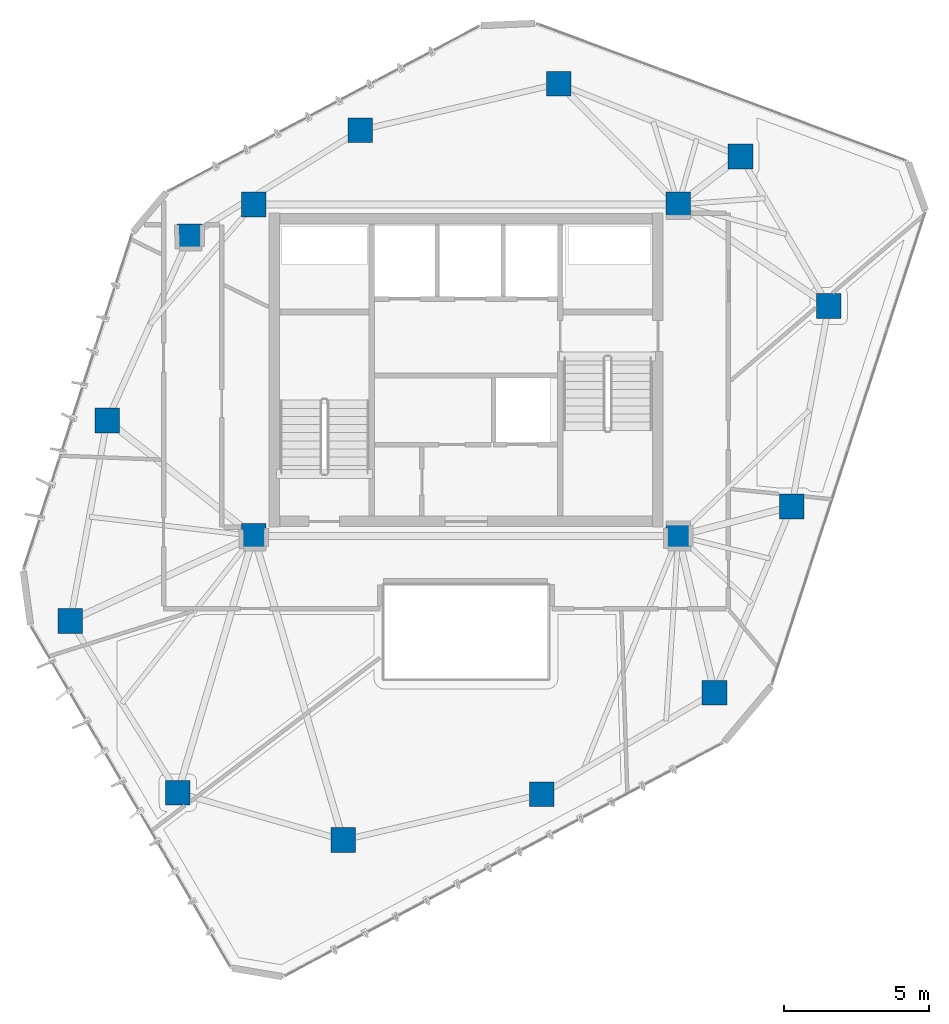
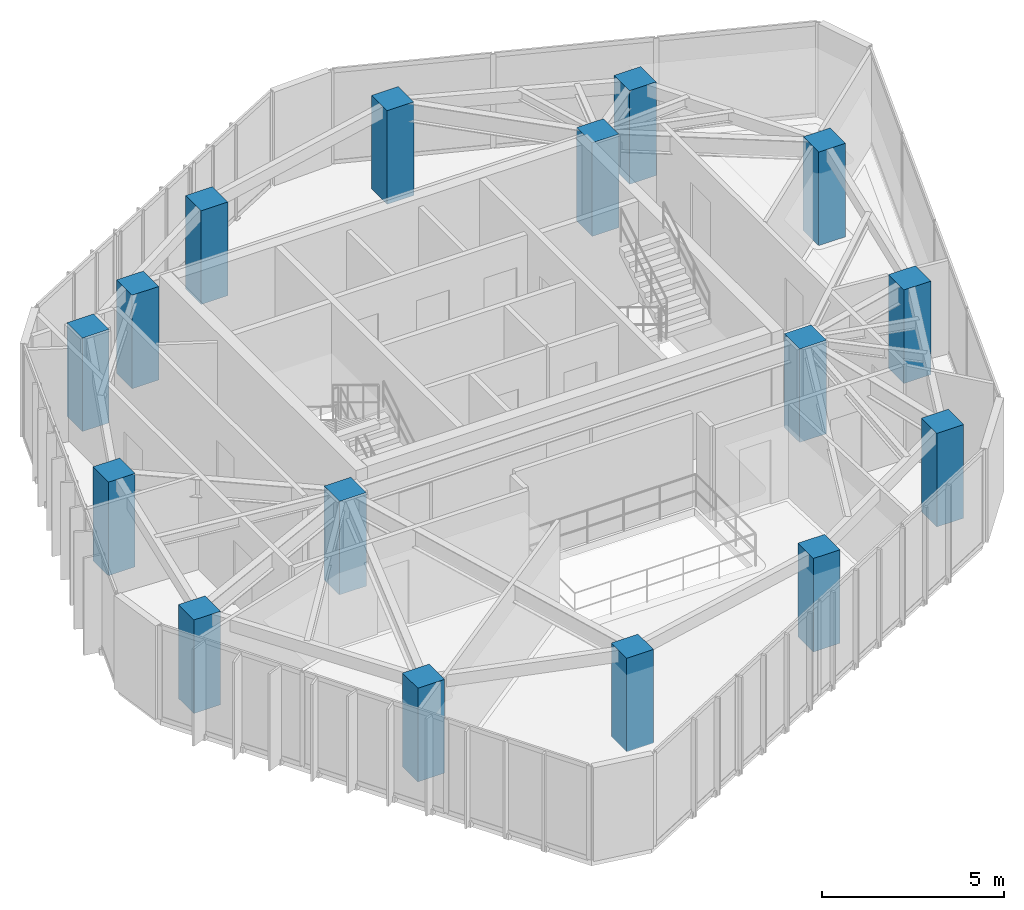
# One storey, part 1 of 20: 16 columns.
"""IFC4 building model written with IfcOpenShell, lengths in metres."""

import ifcopenshell
import ifcopenshell.guid

model = None  # the IFC model being written
_history = None  # IfcOwnerHistory: only IFC2X3 demands one
_inside = {}  # id of a spatial element -> (the spatial element, [elements in it])
_under = {}  # id of a project, library or spatial element -> (it, [spatial elements below it])
_declared = {}  # id of a project -> (the project, [libraries it declares])
_typed = {}  # id of a type object -> (the type object, [elements of that type])
_made_of = {}  # id of a material, layer set ... -> (it, [elements and type objects made of it])


def new_model(schema):
    """Start an empty IFC model of exactly this schema.

    Asked for "IFC4X3", IfcOpenShell would pick the latest addendum, in which some entities
    have other attributes; the version numbers below select the first issue.
    IFC2X3 requires an IfcOwnerHistory on every rooted entity: one is made here for all.
    """
    global model, _history
    if schema == "IFC4X3":
        model = ifcopenshell.file(schema_version=(4, 3, 0, 0))
    else:
        model = ifcopenshell.file(schema=schema)
    _inside.clear()
    _under.clear()
    _declared.clear()
    _typed.clear()
    _made_of.clear()
    _history = None
    if model.schema == "IFC2X3":
        org = make("IfcOrganization", Name="unknown")
        user = make(
            "IfcPersonAndOrganization",
            ThePerson=make("IfcPerson", FamilyName="unknown"),
            TheOrganization=org,
        )
        app = make(
            "IfcApplication",
            ApplicationDeveloper=org,
            Version="unknown",
            ApplicationFullName="unknown",
            ApplicationIdentifier="unknown",
        )
        _history = make(
            "IfcOwnerHistory",
            OwningUser=user,
            OwningApplication=app,
            ChangeAction="ADDED",
            CreationDate=0,
        )
    return model


def make(cls, **values):
    """One entity of the class cls with the attributes given. An attribute that is None is left unset."""
    return model.create_entity(
        cls, **{name: value for name, value in values.items() if value is not None}
    )


def rooted(cls, **values):
    """An entity with a GlobalId (a new one), such as an element, a storey or a relation."""
    return make(cls, GlobalId=ifcopenshell.guid.new(), OwnerHistory=_history, **values)


def si_unit(unit_type, name, prefix=None):
    """IfcSIUnit, for example si_unit("LENGTHUNIT", "METRE", prefix="MILLI")."""
    return make("IfcSIUnit", UnitType=unit_type, Prefix=prefix, Name=name)


def assignment(units):
    """IfcUnitAssignment: the units of a project."""
    return None if units is None else make("IfcUnitAssignment", Units=units)


def point(xyz):
    """IfcCartesianPoint."""
    return None if xyz is None else make("IfcCartesianPoint", Coordinates=xyz)


def direction(xyz):
    """IfcDirection."""
    return None if xyz is None else make("IfcDirection", DirectionRatios=xyz)


def frame(location, z_axis=None, x_axis=None):
    """IfcAxis2Placement3D, a coordinate frame: its origin and axes. An axis left out is left unset."""
    return make(
        "IfcAxis2Placement3D",
        Location=point(location),
        Axis=direction(z_axis),
        RefDirection=direction(x_axis),
    )


def frame_2d(location, x_axis=None):
    """IfcAxis2Placement2D, a coordinate frame in the plane: its origin and x axis."""
    return make(
        "IfcAxis2Placement2D", Location=point(location), RefDirection=direction(x_axis)
    )


def origin():
    """The frame at (0, 0, 0) with its axes left unset."""
    return frame((0.0, 0.0, 0.0))


def origin_2d():
    """The frame at (0, 0) in the plane with its x axis left unset."""
    return frame_2d((0.0, 0.0))


def place(relative_to, where):
    """IfcLocalPlacement: puts the frame where relative to a parent placement (None: the world)."""
    return make(
        "IfcLocalPlacement", PlacementRelTo=relative_to, RelativePlacement=where
    )


def context(
    kind, dimensions, precision=None, world=None, true_north=None, identifier=None
):
    """IfcGeometricRepresentationContext, for example the 3D "Model" context."""
    return make(
        "IfcGeometricRepresentationContext",
        ContextIdentifier=identifier,
        ContextType=kind,
        CoordinateSpaceDimension=dimensions,
        Precision=precision,
        WorldCoordinateSystem=world,
        TrueNorth=true_north,
    )


def subcontext(parent, identifier, kind, view, scale=None):
    """IfcGeometricRepresentationSubContext, for example "Body" below "Model"."""
    return make(
        "IfcGeometricRepresentationSubContext",
        ContextIdentifier=identifier,
        ContextType=kind,
        ParentContext=parent,
        TargetScale=scale,
        TargetView=view,
    )


def project(units=None, contexts=None):
    """IfcProject with its units and contexts."""
    return rooted(
        "IfcProject",
        Name="project",
        RepresentationContexts=contexts,
        UnitsInContext=assignment(units),
    )


def spatial(cls, under=None, at=None, **own):
    """A site, building, storey or space (cls), placed at a placement, below another one or the project."""
    s = rooted(cls, ObjectPlacement=at, **own)
    if under is not None:
        _under.setdefault(under.id(), (under, []))[1].append(s)
    return s


def profile(cls, at=None, kind="AREA", **sizes):
    """A parametric profile (cls). Its sizes go by their IFC names, for example OverallWidth=200.0."""
    return make(cls, ProfileType=kind, Position=at, **sizes)


def rectangle(**sizes):
    """IfcRectangleProfileDef."""
    return profile("IfcRectangleProfileDef", **sizes)


def extrude(swept, where, along, depth):
    """IfcExtrudedAreaSolid: the profile swept, set in the frame where, extruded along a direction by depth."""
    return make(
        "IfcExtrudedAreaSolid",
        SweptArea=swept,
        Position=where,
        ExtrudedDirection=direction(along),
        Depth=depth,
    )


def shape(context_of_items, identifier, shape_type, items):
    """IfcShapeRepresentation: the items that make up one representation, for example the "Body"."""
    return make(
        "IfcShapeRepresentation",
        ContextOfItems=context_of_items,
        RepresentationIdentifier=identifier,
        RepresentationType=shape_type,
        Items=items,
    )


def material(Name=None, Category=None):
    """IfcMaterial."""
    return make("IfcMaterial", Name=Name, Category=Category)


def material_profile(
    of_material, cross_section, Name=None, Category=None, Priority=None
):
    """IfcMaterialProfile: a cross section and its material."""
    return make(
        "IfcMaterialProfile",
        Name=Name,
        Material=of_material,
        Profile=cross_section,
        Priority=Priority,
        Category=Category,
    )


def profile_set(profiles, Name=None, composite=None):
    """IfcMaterialProfileSet."""
    return make(
        "IfcMaterialProfileSet",
        Name=Name,
        MaterialProfiles=profiles,
        CompositeProfile=composite,
    )


def made_of(thing, what):
    """Note that an element or type object is made of a material, layer set ...; save() writes the relation."""
    if what is not None:
        _made_of.setdefault(what.id(), (what, []))[1].append(thing)
    return thing


def type_object(cls, material=None, **own):
    """A type object (cls), such as IfcWallType, which elements share."""
    return made_of(rooted(cls, **own), material)


def element(
    cls,
    number,
    at=None,
    inside=None,
    cuts=None,
    type_object=None,
    material=None,
    context=None,
    identifier="Body",
    shape_type=None,
    held_by="IfcProductDefinitionShape",
    body=None,
    shapes=None,
    **own,
):
    """One element of the class cls, such as IfcWall. Its Tag is "e" and its number.

    at: its placement. inside: the storey or other place that contains it. cuts: it is an
    opening in that element (IfcRelVoidsElement). A single representation is given by context,
    identifier, shape_type and body (its items); several are given by shapes. held_by: the class
    of the entity that holds the representations. save() writes the other relations.
    """
    e = rooted(cls, Tag="e%d" % number, ObjectPlacement=at, **own)
    if body is not None:
        shapes = [shape(context, identifier, shape_type, body)]
    if shapes is not None:
        e.Representation = make(held_by, Representations=shapes)
    if inside is not None:
        _inside.setdefault(inside.id(), (inside, []))[1].append(e)
    if cuts is not None:
        rooted(
            "IfcRelVoidsElement", RelatingBuildingElement=cuts, RelatedOpeningElement=e
        )
    if type_object is not None:
        _typed.setdefault(type_object.id(), (type_object, []))[1].append(e)
    return made_of(e, material)


def aggregate(whole, parts):
    """IfcRelAggregates: a whole, such as a stair, and the parts it consists of."""
    return rooted("IfcRelAggregates", RelatingObject=whole, RelatedObjects=parts)


def save(model, path):
    """Write the relations noted so far, then the file.

    IfcRelAggregates (storeys below a building ...), IfcRelContainedInSpatialStructure (elements
    in a storey), IfcRelDefinesByType, IfcRelAssociatesMaterial and IfcRelDeclares: one each for
    every whole, place, type object, material and project.
    """
    for whole, parts in _under.values():
        aggregate(whole, parts)
    for where, things in _inside.values():
        rooted(
            "IfcRelContainedInSpatialStructure",
            RelatedElements=things,
            RelatingStructure=where,
        )
    for kind, things in _typed.values():
        rooted("IfcRelDefinesByType", RelatedObjects=things, RelatingType=kind)
    for what, things in _made_of.values():
        rooted("IfcRelAssociatesMaterial", RelatedObjects=things, RelatingMaterial=what)
    for by, libraries in _declared.values():
        rooted("IfcRelDeclares", RelatingContext=by, RelatedDefinitions=libraries)
    model.write(path)


model = new_model("IFC4")

# Units and contexts
model_context = context("Model", 3, precision=1e-05, world=origin(), true_north=direction((0.0, 1.0)))
body_context = subcontext(model_context, "Body", "Model", "MODEL_VIEW")
ifc_project = project(units=[si_unit("LENGTHUNIT", "METRE"), si_unit("AREAUNIT", "SQUARE_METRE"), si_unit("VOLUMEUNIT", "CUBIC_METRE"), si_unit("PLANEANGLEUNIT", "RADIAN"), si_unit("MASSUNIT", "GRAM", prefix="KILO")], contexts=[model_context])

# Site, building, storey
site_placement = place(None, origin())
site = spatial("IfcSite", under=ifc_project, at=site_placement, CompositionType="ELEMENT")
building_placement = place(site_placement, origin())
building = spatial("IfcBuilding", under=site, at=building_placement, Name="Talar Marvaseh", CompositionType="ELEMENT")
storey_placement = place(building_placement, frame((0.0, 0.0, 261.199951171875)))
storey = spatial("IfcBuildingStorey", under=building, at=storey_placement, Name="L69", CompositionType="ELEMENT", Elevation=261.199951171875)

# Columns
ifc_material = material(Name="Concrete C50/60", Category="concrete")
ifc_material_profile = material_profile(ifc_material, rectangle(XDim=0.85009765625, YDim=0.85009765625, at=origin_2d()), Name="RC850x850")
ifc_profile_set = profile_set([ifc_material_profile], Name="Concrete C50/60")
column_type = type_object("IfcColumnType", Name="Zone 4 Tube Column RC850x850", PredefinedType="COLUMN", material=ifc_profile_set)
for number, where, z_axis, x_axis, name in (
    (1, (12.388916015625, 22.576904296875, 0.0), (0.0, 0.0, 1.0), (1.0, 0.0, 0.0), "L69 Zone 4 Tube Column RC850x850"),
    (2, (13.657958984375, 29.469970703125, 0.0), (0.0, 0.0, 1.0), (1.0, 0.0, 0.0), "L69 Zone 4 Tube Column RC850x850"),
    (3, (16.493896484375, 35.806884765625, 0.0), (0.0, 0.0, 1.0), (1.0, 0.0, 0.0), "L69 Zone 4 Tube Column RC850x850"),
    (4, (22.364990234375, 39.4541015625, 0.0), (0.0, 0.0, 1.0), (1.0, 0.0, 0.0), "L69 Zone 4 Tube Column RC850x850"),
    (5, (29.18798828125, 41.052001953125, 0.0), (0.0, 0.0, 1.0), (1.0, 0.0, 0.0), "L69 Zone 4 Tube Column RC850x850"),
    (6, (35.43798828125, 38.551025390625, 0.0), (0.0, 0.0, 1.0), (1.0, 0.0, 0.0), "L69 Zone 4 Tube Column RC850x850"),
    (7, (38.470947265625, 33.406005859375, 0.0), (0.0, 0.0, 1.0), (1.0, 0.0, 0.0), "L69 Zone 4 Tube Column RC850x850"),
    (8, (37.197021484375, 26.513916015625, 0.0), (0.0, 0.0, 1.0), (1.0, 0.0, 0.0), "L69 Zone 4 Tube Column RC850x850"),
    (9, (34.5439453125, 20.111083984375, 0.0), (0.0, 0.0, 1.0), (1.0, 0.0, 0.0), "L69 Zone 4 Tube Column RC850x850"),
    (10, (28.60498046875, 16.616943359375, 0.0), (0.0, 0.0, 1.0), (1.0, 0.0, 0.0), "L69 Zone 4 Tube Column RC850x850"),
    (11, (21.77587890625, 15.0400390625, 0.0), (0.0, 0.0, 1.0), (1.0, 0.0, 0.0), "L69 Zone 4 Tube Column RC850x850"),
    (12, (16.0869140625, 16.66796875, 0.0), (0.0, 0.0, 1.0), (1.0, 0.0, 0.0), "L69 Zone 4 Tube Column RC850x850"),
    (13, (18.699951171875, 25.5, 0.0), (0.0, 0.0, 1.0), (1.0, 0.0, 0.0), "L69 Zone 4 Tube Column RC850x850"),
    (14, (33.300048828125, 25.5, 0.0), (0.0, 0.0, 1.0), (1.0, 0.0, 0.0), "L69 Zone 4 Tube Column RC850x850"),
    (15, (33.300048828125, 36.89990234375, 0.0), (0.0, 0.0, 1.0), (1.0, 0.0, 0.0), "L69 Zone 4 Tube Column RC850x850"),
    (16, (18.699951171875, 36.89990234375, 0.0), (0.0, 0.0, 1.0), (1.0, 0.0, 0.0), "L69 Zone 4 Tube Column RC850x850"),
):
    element("IfcColumn", number, at=place(storey_placement, frame(where, z_axis=z_axis, x_axis=x_axis)), inside=storey, type_object=column_type, Name=name, PredefinedType="COLUMN", context=body_context, shape_type="SweptSolid", body=[
        extrude(rectangle(XDim=0.85009765625, YDim=0.85009765625, at=origin_2d()), origin(), (0.0, 0.0, 1.0), 3.14013671875),
    ])

save(model, "model.ifc")
